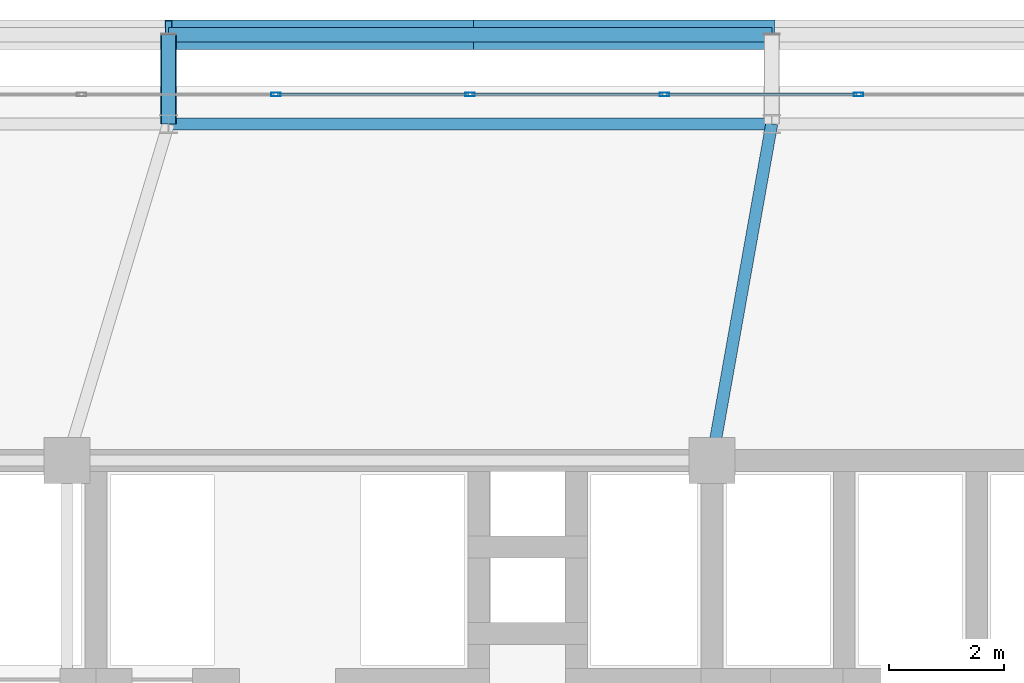
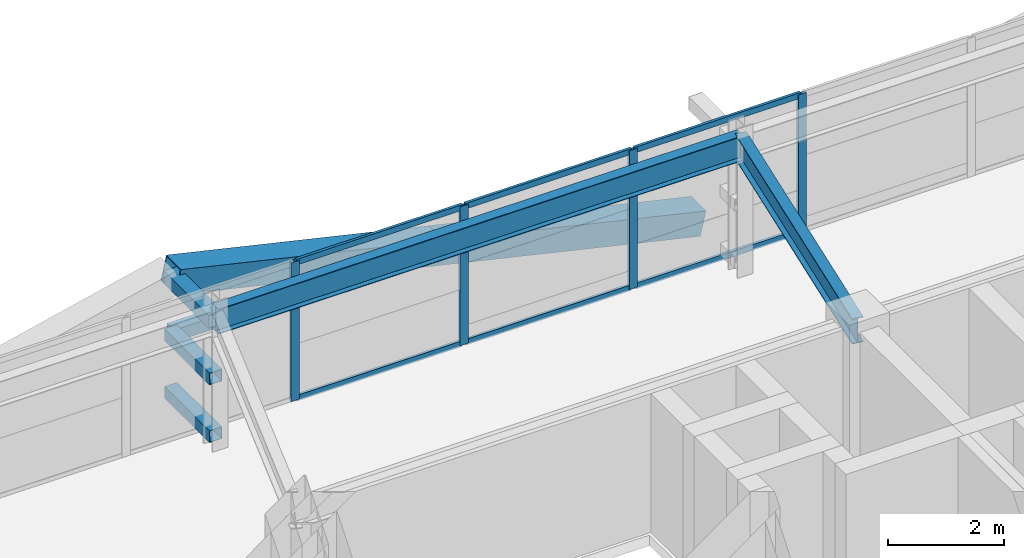
# One storey, part 37 of 59: 16 members, 2 beams, 1 element without a shape of its own.
"""IFC4 building model written with IfcOpenShell, lengths in metres."""

from ifc_helpers import new_model, si_unit, direction, frame, origin, origin_2d, place, context, subcontext, project, spatial, hollow_rectangle, i_section, extrude, source, transform, mapped, material, layer, layer_set, material_profile, profile_set, type_object, element, aggregate, save


model = new_model("IFC4")

# Units and contexts
model_context = context("Model", 3, precision=1e-05, world=origin(), true_north=direction((0.0, 1.0)))
body_context = subcontext(model_context, "Body", "Model", "MODEL_VIEW")
ifc_project = project(units=[si_unit("LENGTHUNIT", "METRE"), si_unit("AREAUNIT", "SQUARE_METRE"), si_unit("VOLUMEUNIT", "CUBIC_METRE"), si_unit("PLANEANGLEUNIT", "RADIAN"), si_unit("MASSUNIT", "GRAM", prefix="KILO")], contexts=[model_context])

# Site, building, storey
site_placement = place(None, origin())
site = spatial("IfcSite", under=ifc_project, at=site_placement, CompositionType="ELEMENT")
building_placement = place(site_placement, origin())
building = spatial("IfcBuilding", under=site, at=building_placement, Name="Taldren Reach Tower", CompositionType="ELEMENT")
storey_placement = place(building_placement, frame((0.0, 0.0, 19.949951171875)))
storey = spatial("IfcBuildingStorey", under=building, at=storey_placement, Name="L05", CompositionType="ELEMENT", Elevation=19.949951171875)

# Beams
ifc_material_1 = material(Name="Steel Gr 350 (350PLUS)", Category="steel")
ifc_material_profile_1 = material_profile(ifc_material_1, i_section(OverallWidth=0.208984375, OverallDepth=0.528076171875, WebThickness=0.009521484375, FlangeThickness=0.01318359375, at=origin_2d()), Name="530UB82.0")
ifc_profile_set_1 = profile_set([ifc_material_profile_1], Name="Steel Gr 350 (350PLUS)")
beam_type_1 = type_object("IfcBeamType", Name="SP-UB530B", PredefinedType="SPANDREL", material=ifc_profile_set_1)
shared_shape_1 = source(origin(), body_context, "Body", "SweptSolid", [
    extrude(i_section(OverallWidth=0.208984375, OverallDepth=0.528076171875, WebThickness=0.009521484375, FlangeThickness=0.01318359375, at=origin_2d()), origin(), (0.0, 0.0, 1.0), 10.47998046875),
])
beam_1_placement = place(storey_placement, frame((40.239990234375, 37.85009765625, 2.666015625), z_axis=(-1.0, 0.0, 0.0), x_axis=(0.0, -1.0, 0.0)))
element("IfcBeam", 1, at=beam_1_placement, inside=storey, type_object=beam_type_1, Name="Perimeter spandrel B1 N4-N3 L05", PredefinedType="SPANDREL", context=body_context, shape_type="MappedRepresentation", body=[
    mapped(shared_shape_1, transform((0.0, 0.0, 0.0), scale=1.0)),
])
ifc_material_profile_2 = material_profile(ifc_material_1, i_section(OverallWidth=0.208984375, OverallDepth=0.532958984375, WebThickness=0.01025390625, FlangeThickness=0.015625, at=origin_2d()), Name="530UB92.4")
ifc_profile_set_2 = profile_set([ifc_material_profile_2], Name="Steel Gr 350 (350PLUS)")
beam_type_2 = type_object("IfcBeamType", Name="BM-UB530A", PredefinedType="BEAM", material=ifc_profile_set_2)
shared_shape_2 = source(origin(), body_context, "Body", "SweptSolid", [
    extrude(i_section(OverallWidth=0.208984375, OverallDepth=0.532958984375, WebThickness=0.01025390625, FlangeThickness=0.015625, at=origin_2d()), origin(), (0.0, 0.0, 1.0), 5.94189453125),
])
beam_2_placement = place(storey_placement, frame((39.199951171875, 32.0, 2.66357421875), z_axis=(0.17503687513, 0.984561878373, 0.0), x_axis=(-0.984561878373, 0.17503687513, 0.0)))
element("IfcBeam", 2, at=beam_2_placement, inside=storey, type_object=beam_type_2, Name="Primary floor girder B1-N4 L05", PredefinedType="BEAM", context=body_context, shape_type="MappedRepresentation", body=[
    mapped(shared_shape_2, transform((0.0, 0.0, 0.0), scale=1.0)),
])

# Members
ifc_material_2 = material(Name="Steel Gr 450 (C450L0)", Category="steel")
ifc_material_profile_3 = material_profile(ifc_material_2, hollow_rectangle(XDim=0.27490234375, YDim=0.27490234375, WallThickness=0.00927734375, at=origin_2d()), Name="275x275x9.3SHS")
ifc_profile_set_3 = profile_set([ifc_material_profile_3], Name="Steel Gr 450 (C450L0)")
member_type_1 = type_object("IfcMemberType", Name="MB-TIE273", PredefinedType="STRUT", material=ifc_profile_set_3)
shared_shape_3 = source(origin(), body_context, "Body", "SweptSolid", [
    extrude(hollow_rectangle(XDim=0.27490234375, YDim=0.27490234375, WallThickness=0.00927734375, at=origin_2d()), origin(), (0.0, 0.0, 1.0), 1.5498046875),
])
member_1_placement = place(storey_placement, frame((29.760009765625, 37.85009765625, 2.650146484375), z_axis=(0.0, 1.0, 0.0), x_axis=(-1.0, 0.0, 0.0)))
element("IfcMember", 3, at=member_1_placement, inside=storey, type_object=member_type_1, Name="Exoskeleton diaphragm tie strut B1-N3 L05", PredefinedType="STRUT", context=body_context, shape_type="MappedRepresentation", body=[
    mapped(shared_shape_3, transform((0.0, 0.0, 0.0), scale=1.0)),
])
ifc_material_profile_4 = material_profile(ifc_material_2, hollow_rectangle(XDim=0.510009765625, YDim=0.510009765625, WallThickness=0.02001953125, at=origin_2d()), Name="510x510x20.0SHS")
ifc_profile_set_4 = profile_set([ifc_material_profile_4], Name="Steel Gr 450 (C450L0)")
member_type_2 = type_object("IfcMemberType", Name="MB-EXO508", PredefinedType="BRACE", material=ifc_profile_set_4)
shared_shape_4 = source(origin(), body_context, "Body", "SweptSolid", [
    extrude(hollow_rectangle(XDim=0.510009765625, YDim=0.510009765625, WallThickness=0.02001953125, at=origin_2d()), origin(), (0.0, 0.0, 1.0), 5.37890625),
])
for number, where, z_axis, x_axis, name in (
    (4, (40.239990234375, 39.39990234375, 0.219970703125), (-0.97415197996, 0.0, 0.225893603143), (0.0, -1.0, 0.0), "Exoskeleton Diagrid Brace B1-N3 L05"),
    (5, (35.0, 39.39990234375, 1.43505859375), (-0.97415197996, 0.0, 0.225893603143), (0.0, -1.0, 0.0), "Exoskeleton Diagrid Brace B1-N3 L05"),
):
    element("IfcMember", number, at=place(storey_placement, frame(where, z_axis=z_axis, x_axis=x_axis)), inside=storey, type_object=member_type_2, Name=name, PredefinedType="BRACE", context=body_context, shape_type="MappedRepresentation", body=[
        mapped(shared_shape_4, transform((0.0, 0.0, 0.0), scale=1.0)),
    ])
ifc_material_3 = material(Name="Steel Gr 350 (C350L0)", Category="steel")
ifc_material_profile_5 = material_profile(ifc_material_3, hollow_rectangle(XDim=0.25, YDim=0.25, WallThickness=0.010009765625, at=origin_2d()), Name="250x250x10.0SHS")
ifc_profile_set_5 = profile_set([ifc_material_profile_5], Name="Steel Gr 350 (C350L0)")
member_type_3 = type_object("IfcMemberType", Name="MB-POST250", PredefinedType="POST", material=ifc_profile_set_5)
shared_shape_5 = source(origin(), body_context, "Body", "SweptSolid", [
    extrude(hollow_rectangle(XDim=0.25, YDim=0.25, WallThickness=0.010009765625, at=origin_2d()), origin(), (0.0, 0.0, 1.0), 10.47998046875),
])
member_2_placement = place(storey_placement, frame((29.760009765625, 39.39990234375, 1.43505859375), z_axis=(1.0, 0.0, 0.0), x_axis=(0.0, 1.0, 0.0)))
element("IfcMember", 6, at=member_2_placement, inside=storey, type_object=member_type_3, Name="Exoskeleton mid-height ring chord B1-N3 L05", PredefinedType="POST", context=body_context, shape_type="MappedRepresentation", body=[
    mapped(shared_shape_5, transform((0.0, 0.0, 0.0), scale=1.0)),
])
shared_shape_6 = source(origin(), body_context, "Body", "SweptSolid", [
    extrude(hollow_rectangle(XDim=0.25, YDim=0.25, WallThickness=0.010009765625, at=origin_2d()), origin(), (0.0, 0.0, 1.0), 1.5498046875),
])
for number, where, z_axis, x_axis, name in (
    (7, (29.760009765625, 37.85009765625, 0.219970703125), (0.0, 1.0, 0.0), (-1.0, 0.0, 0.0), "Exoskeleton base diaphragm tie strut B1-N3 L05"),
    (8, (29.760009765625, 37.85009765625, 1.43505859375), (0.0, 1.0, 0.0), (-1.0, 0.0, 0.0), "Exoskeleton mid-tier diaphragm tie B1-N3 L05"),
):
    element("IfcMember", number, at=place(storey_placement, frame(where, z_axis=z_axis, x_axis=x_axis)), inside=storey, type_object=member_type_3, Name=name, PredefinedType="POST", context=body_context, shape_type="MappedRepresentation", body=[
        mapped(shared_shape_6, transform((0.0, 0.0, 0.0), scale=1.0)),
    ])

# Curtain wall, members
ifc_material_4 = material(Name="Aluminium and Low-E Glass Unitised System", Category="aluminium")
ifc_layer = layer(ifc_material_4, 0.159912109375)
ifc_layer_set = layer_set([ifc_layer], Name="Aluminium and Low-E Glass Unitised System")
curtain_wall_type = type_object("IfcCurtainWallType", Name="CW-SYS-2", PredefinedType="NOTDEFINED", material=ifc_layer_set)
curtain_wall_placement = place(storey_placement, origin())
curtain_wall = element("IfcCurtainWall", 9, at=curtain_wall_placement, inside=storey, type_object=curtain_wall_type, Name="Unitised curtain wall CW-L05-N", PredefinedType="NOTDEFINED")
ifc_material_5 = material(Name="Anodised Aluminium 6063-T6", Category="aluminium")
ifc_material_profile_6 = material_profile(ifc_material_5, hollow_rectangle(XDim=0.06494140625, YDim=0.1650390625, WallThickness=0.00390625, at=origin_2d()), Name="ALU-165x65x4RHS")
ifc_profile_set_6 = profile_set([ifc_material_profile_6], Name="Anodised Aluminium 6063-T6")
member_type_4 = type_object("IfcMemberType", Name="CW-MUL-165", PredefinedType="MULLION", material=ifc_profile_set_6)
shared_shape_7 = source(origin(), body_context, "Body", "SweptSolid", [
    extrude(hollow_rectangle(XDim=0.06494140625, YDim=0.1650390625, WallThickness=0.00390625, at=origin_2d()), origin(), (0.0, 0.0, 1.0), 2.929931640625),
])
member_3_placement = place(storey_placement, frame((41.75, 38.360107421875, 0.0), z_axis=(0.0, 0.0, 1.0), x_axis=(0.0, -1.0, 0.0)))
member_3 = element("IfcMember", 10, at=member_3_placement, type_object=member_type_4, Name="CW-2 mullion 7", PredefinedType="MULLION", context=body_context, shape_type="MappedRepresentation", body=[
    mapped(shared_shape_7, transform((0.0, 0.0, 0.0), scale=1.0)),
])
member_4_placement = place(storey_placement, frame((38.375, 38.360107421875, 0.0), z_axis=(0.0, 0.0, 1.0), x_axis=(0.0, -1.0, 0.0)))
member_4 = element("IfcMember", 11, at=member_4_placement, type_object=member_type_4, Name="CW-2 mullion 8", PredefinedType="MULLION", context=body_context, shape_type="MappedRepresentation", body=[
    mapped(shared_shape_7, transform((0.0, 0.0, 0.0), scale=1.0)),
])
member_5_placement = place(storey_placement, frame((35.0, 38.360107421875, 0.0), z_axis=(0.0, 0.0, 1.0), x_axis=(0.0, -1.0, 0.0)))
member_5 = element("IfcMember", 12, at=member_5_placement, type_object=member_type_4, Name="CW-2 mullion 9", PredefinedType="MULLION", context=body_context, shape_type="MappedRepresentation", body=[
    mapped(shared_shape_7, transform((0.0, 0.0, 0.0), scale=1.0)),
])
member_6_placement = place(storey_placement, frame((31.625, 38.360107421875, 0.0), z_axis=(0.0, 0.0, 1.0), x_axis=(0.0, -1.0, 0.0)))
member_6 = element("IfcMember", 13, at=member_6_placement, type_object=member_type_4, Name="CW-2 mullion 10", PredefinedType="MULLION", context=body_context, shape_type="MappedRepresentation", body=[
    mapped(shared_shape_7, transform((0.0, 0.0, 0.0), scale=1.0)),
])
ifc_material_profile_7 = material_profile(ifc_material_5, hollow_rectangle(XDim=0.054931640625, YDim=0.1201171875, WallThickness=0.0029296875, at=origin_2d()), Name="ALU-120x55x3RHS")
ifc_profile_set_7 = profile_set([ifc_material_profile_7], Name="Anodised Aluminium 6063-T6")
member_type_5 = type_object("IfcMemberType", Name="CW-TRN-135", PredefinedType="USERDEFINED", material=ifc_profile_set_7)
shared_shape_8 = source(origin(), body_context, "Body", "SweptSolid", [
    extrude(hollow_rectangle(XDim=0.054931640625, YDim=0.1201171875, WallThickness=0.0029296875, at=origin_2d()), origin(), (0.0, 0.0, 1.0), 3.31005859375),
])
member_7_placement = place(storey_placement, frame((41.717529296875, 38.360107421875, 0.027587890625), z_axis=(-1.0, 0.0, 0.0), x_axis=(0.0, -1.0, 0.0)))
member_7 = element("IfcMember", 14, at=member_7_placement, type_object=member_type_5, Name="CW-2 transom 7.1", ObjectType="TRANSOM", PredefinedType="USERDEFINED", context=body_context, shape_type="MappedRepresentation", body=[
    mapped(shared_shape_8, transform((0.0, 0.0, 0.0), scale=1.0)),
])
member_8_placement = place(storey_placement, frame((41.717529296875, 38.360107421875, 2.902587890625), z_axis=(-1.0, 0.0, 0.0), x_axis=(0.0, -1.0, 0.0)))
member_8 = element("IfcMember", 15, at=member_8_placement, type_object=member_type_5, Name="CW-2 transom 7.2", ObjectType="TRANSOM", PredefinedType="USERDEFINED", context=body_context, shape_type="MappedRepresentation", body=[
    mapped(shared_shape_8, transform((0.0, 0.0, 0.0), scale=1.0)),
])
member_9_placement = place(storey_placement, frame((38.342529296875, 38.360107421875, 0.027587890625), z_axis=(-1.0, 0.0, 0.0), x_axis=(0.0, -1.0, 0.0)))
member_9 = element("IfcMember", 16, at=member_9_placement, type_object=member_type_5, Name="CW-2 transom 8.1", ObjectType="TRANSOM", PredefinedType="USERDEFINED", context=body_context, shape_type="MappedRepresentation", body=[
    mapped(shared_shape_8, transform((0.0, 0.0, 0.0), scale=1.0)),
])
member_10_placement = place(storey_placement, frame((38.342529296875, 38.360107421875, 2.902587890625), z_axis=(-1.0, 0.0, 0.0), x_axis=(0.0, -1.0, 0.0)))
member_10 = element("IfcMember", 17, at=member_10_placement, type_object=member_type_5, Name="CW-2 transom 8.2", ObjectType="TRANSOM", PredefinedType="USERDEFINED", context=body_context, shape_type="MappedRepresentation", body=[
    mapped(shared_shape_8, transform((0.0, 0.0, 0.0), scale=1.0)),
])
member_11_placement = place(storey_placement, frame((34.967529296875, 38.360107421875, 0.027587890625), z_axis=(-1.0, 0.0, 0.0), x_axis=(0.0, -1.0, 0.0)))
member_11 = element("IfcMember", 18, at=member_11_placement, type_object=member_type_5, Name="CW-2 transom 9.1", ObjectType="TRANSOM", PredefinedType="USERDEFINED", context=body_context, shape_type="MappedRepresentation", body=[
    mapped(shared_shape_8, transform((0.0, 0.0, 0.0), scale=1.0)),
])
member_12_placement = place(storey_placement, frame((34.967529296875, 38.360107421875, 2.902587890625), z_axis=(-1.0, 0.0, 0.0), x_axis=(0.0, -1.0, 0.0)))
member_12 = element("IfcMember", 19, at=member_12_placement, type_object=member_type_5, Name="CW-2 transom 9.2", ObjectType="TRANSOM", PredefinedType="USERDEFINED", context=body_context, shape_type="MappedRepresentation", body=[
    mapped(shared_shape_8, transform((0.0, 0.0, 0.0), scale=1.0)),
])
aggregate(curtain_wall, [member_3, member_4, member_5, member_6, member_7, member_8, member_9, member_10, member_11, member_12])

save(model, "model.ifc")
